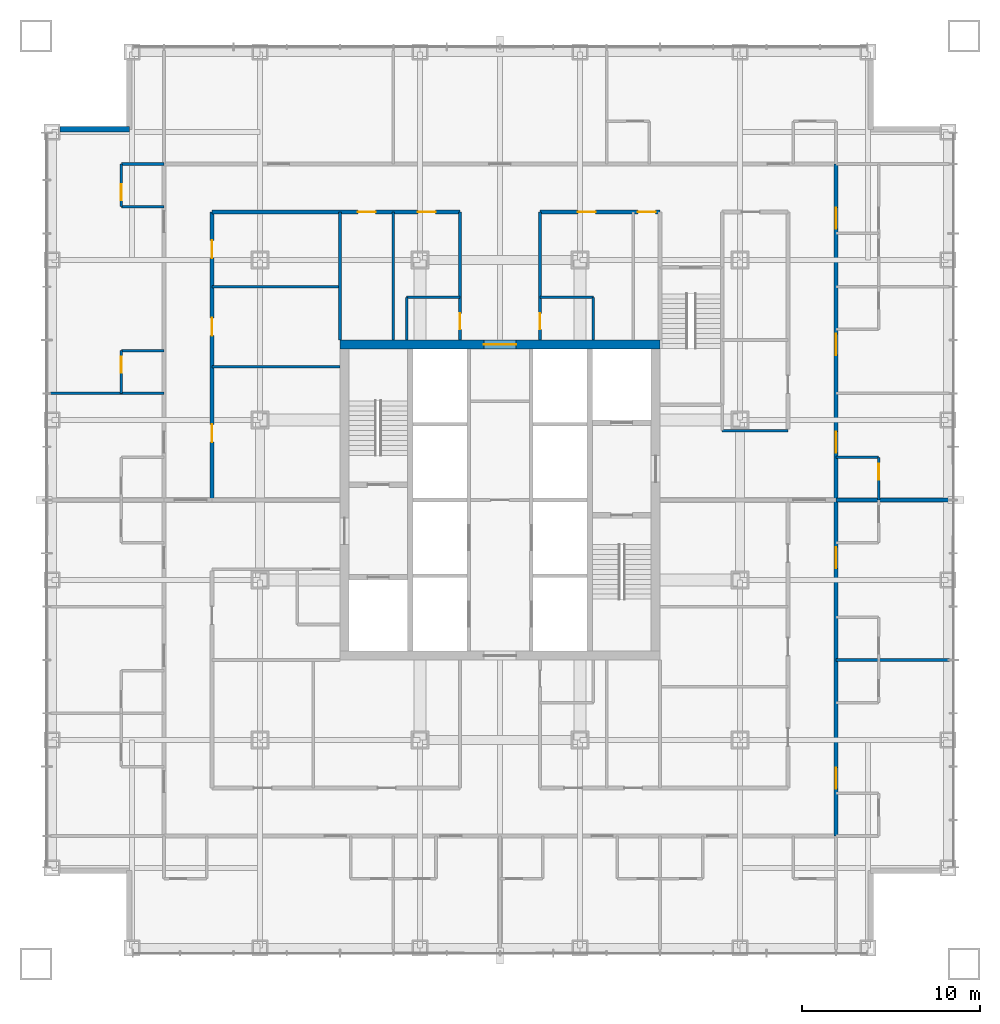
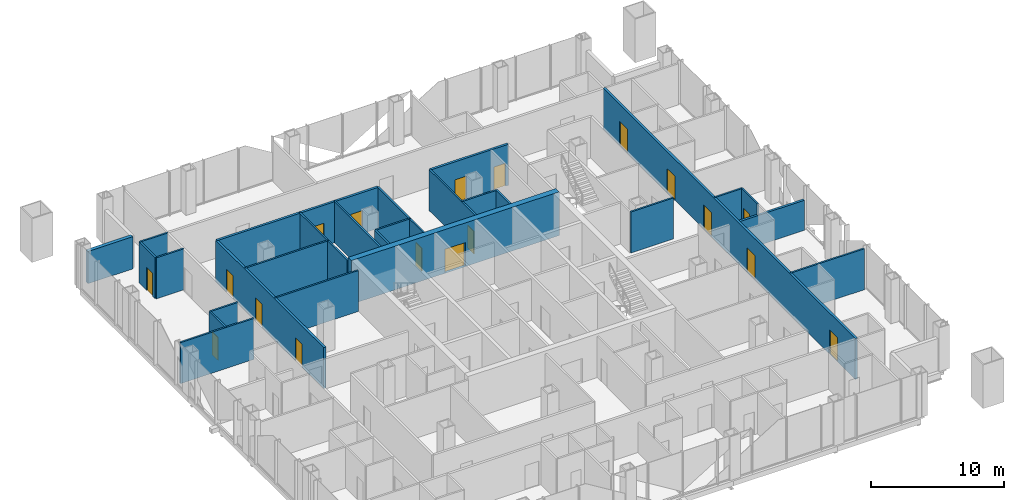
# One storey, part 10 of 13: 27 walls, 18 doors, 18 openings.
"""IFC4 building model written with IfcOpenShell, lengths in metres."""

from ifc_helpers import new_model, si_unit, direction, frame, frame_2d, origin, place, context, subcontext, project, spatial, rectangle, extrude, material, layer, layer_set, type_object, element, fill, save


model = new_model("IFC4")

# Units and contexts
model_context = context("Model", 3, precision=1e-05, world=origin(), true_north=direction((0.0, 1.0)))
body_context = subcontext(model_context, "Body", "Model", "MODEL_VIEW")
ifc_project = project(units=[si_unit("LENGTHUNIT", "METRE"), si_unit("AREAUNIT", "SQUARE_METRE"), si_unit("VOLUMEUNIT", "CUBIC_METRE"), si_unit("PLANEANGLEUNIT", "RADIAN"), si_unit("MASSUNIT", "GRAM", prefix="KILO")], contexts=[model_context])

# Site, building, storey
site_placement = place(None, origin())
site = spatial("IfcSite", under=ifc_project, at=site_placement, CompositionType="ELEMENT")
building_placement = place(site_placement, origin())
building = spatial("IfcBuilding", under=site, at=building_placement, Name="Malebo Sky Hospital", CompositionType="ELEMENT")
storey_placement = place(building_placement, frame((0.0, 0.0, 79.0)))
storey = spatial("IfcBuildingStorey", under=building, at=storey_placement, Name="L18", CompositionType="ELEMENT", Elevation=79.0)

# Wall, opening, door
ifc_material_1 = material(Name="Concrete C80/95", Category="concrete")
ifc_layer_1 = layer(ifc_material_1, 0.5)
ifc_layer_set_1 = layer_set([ifc_layer_1], Name="CORE WALL 500")
wall_type_1 = type_object("IfcWallType", Name="CORE WALL 500", PredefinedType="SHEAR", material=ifc_layer_set_1)
wall_1_placement = place(storey_placement, frame((51.0, 70.75, 0.0), z_axis=(0.0, 0.0, 1.0), x_axis=(1.0, 0.0, 0.0)))
wall_1 = element("IfcWall", 1, at=wall_1_placement, inside=storey, type_object=wall_type_1, Name="Core wall N L18", PredefinedType="SHEAR", context=body_context, shape_type="SweptSolid", body=[
    extrude(rectangle(XDim=18.0, YDim=0.5, at=frame_2d((9.0, 0.0))), origin(), (0.0, 0.0, 1.0), 4.0),
])
opening_1_placement = place(wall_1_placement, frame((8.10009765625, 0.0, 0.0)))
opening_1 = element("IfcOpeningElement", 2, at=opening_1_placement, cuts=wall_1, Name="Opening D06", PredefinedType="OPENING", context=body_context, shape_type="SweptSolid", body=[
    extrude(rectangle(XDim=1.800048828125, YDim=2.199951171875, at=frame_2d((0.89990234375, 1.10009765625))), frame((0.0, 0.260009765625, 0.0), z_axis=(0.0, -1.0, 0.0), x_axis=(1.0, 0.0, 0.0)), (0.0, 0.0, 1.0), 0.52001953125),
])
ifc_material_2 = material(Name="Hardwood-faced door leaf in steel frame", Category="steel")
door_type_1 = type_object("IfcDoorType", Name="LOBBY DOOR PAIR 1800", OperationType="DOUBLE_DOOR_SINGLE_SWING", PredefinedType="DOOR", material=ifc_material_2)
door_1_placement = place(opening_1_placement, origin())
door_1 = element("IfcDoor", 3, at=door_1_placement, inside=storey, type_object=door_type_1, Name="vending room door north", OperationType="DOUBLE_DOOR_SINGLE_SWING", OverallHeight=2.199951171875, OverallWidth=1.800048828125, PredefinedType="DOOR", context=body_context, shape_type="SweptSolid", body=[
    extrude(rectangle(XDim=1.800048828125, YDim=2.199951171875, at=frame_2d((0.89990234375, 1.10009765625))), frame((0.0, 0.02490234375, 0.0), z_axis=(0.0, -1.0, 0.0), x_axis=(1.0, 0.0, 0.0)), (0.0, 0.0, 1.0), 0.050048828125),
])
fill(opening_1, door_1)

# Wall, openings, doors
ifc_material_3 = material(Name="Gypsum board on steel studs", Category="steel")
ifc_layer_2 = layer(ifc_material_3, 0.199951171875)
ifc_layer_set_2 = layer_set([ifc_layer_2], Name="CORRIDOR WALL 200")
wall_type_2 = type_object("IfcWallType", Name="CORRIDOR WALL 200", PredefinedType="PARTITIONING", material=ifc_layer_set_2)
wall_2_placement = place(storey_placement, frame((43.800048828125, 78.199951171875, 0.0), z_axis=(0.0, 0.0, 1.0), x_axis=(1.0, 0.0, 0.0)))
wall_2 = element("IfcWall", 4, at=wall_2_placement, inside=storey, type_object=wall_type_2, Name="Corridor Wall 200 NCI1", PredefinedType="PARTITIONING", context=body_context, shape_type="SweptSolid", body=[
    extrude(rectangle(XDim=13.949951171875, YDim=0.199951171875, at=frame_2d((6.97509765625, 0.0))), origin(), (0.0, 0.0, 1.0), 3.75),
])
opening_2_placement = place(wall_2_placement, frame((8.199951171875, 0.0, 0.0)))
opening_2 = element("IfcOpeningElement", 5, at=opening_2_placement, cuts=wall_2, Name="Opening D03", PredefinedType="OPENING", context=body_context, shape_type="SweptSolid", body=[
    extrude(rectangle(XDim=1.0, YDim=2.10009765625, at=frame_2d((0.5, 1.050048828125))), frame((0.0, 0.10986328125, 0.0), z_axis=(0.0, -1.0, 0.0), x_axis=(1.0, 0.0, 0.0)), (0.0, 0.0, 1.0), 0.219970703125),
])
opening_3_placement = place(wall_2_placement, frame((11.574951171875, 0.0, 0.0)))
opening_3 = element("IfcOpeningElement", 6, at=opening_3_placement, cuts=wall_2, Name="Opening D03", PredefinedType="OPENING", context=body_context, shape_type="SweptSolid", body=[
    extrude(rectangle(XDim=1.0, YDim=2.10009765625, at=frame_2d((0.5, 1.050048828125))), frame((0.0, 0.10986328125, 0.0), z_axis=(0.0, -1.0, 0.0), x_axis=(1.0, 0.0, 0.0)), (0.0, 0.0, 1.0), 0.219970703125),
])
door_type_2 = type_object("IfcDoorType", Name="ROOM DOOR 1000", OperationType="SINGLE_SWING_LEFT", PredefinedType="DOOR", material=ifc_material_2)
door_2_placement = place(opening_2_placement, origin())
door_2 = element("IfcDoor", 7, at=door_2_placement, inside=storey, type_object=door_type_2, Name="Equipment store door", OperationType="SINGLE_SWING_LEFT", OverallHeight=2.10009765625, OverallWidth=1.0, PredefinedType="DOOR", context=body_context, shape_type="SweptSolid", body=[
    extrude(rectangle(XDim=1.0, YDim=2.10009765625, at=frame_2d((0.5, 1.050048828125))), frame((0.0, 0.02490234375, 0.0), z_axis=(0.0, -1.0, 0.0), x_axis=(1.0, 0.0, 0.0)), (0.0, 0.0, 1.0), 0.050048828125),
])
fill(opening_2, door_2)
door_3_placement = place(opening_3_placement, origin())
door_3 = element("IfcDoor", 8, at=door_3_placement, inside=storey, type_object=door_type_2, Name="Linen store door", OperationType="SINGLE_SWING_LEFT", OverallHeight=2.10009765625, OverallWidth=1.0, PredefinedType="DOOR", context=body_context, shape_type="SweptSolid", body=[
    extrude(rectangle(XDim=1.0, YDim=2.10009765625, at=frame_2d((0.5, 1.050048828125))), frame((0.0, 0.02490234375, 0.0), z_axis=(0.0, -1.0, 0.0), x_axis=(1.0, 0.0, 0.0)), (0.0, 0.0, 1.0), 0.050048828125),
])
fill(opening_3, door_3)

wall_3_placement = place(storey_placement, frame((62.25, 78.199951171875, 0.0), z_axis=(0.0, 0.0, 1.0), x_axis=(1.0, 0.0, 0.0)))
wall_3 = element("IfcWall", 9, at=wall_3_placement, inside=storey, type_object=wall_type_2, Name="Corridor Wall 200 NCI2", PredefinedType="PARTITIONING", context=body_context, shape_type="SweptSolid", body=[
    extrude(rectangle(XDim=6.75, YDim=0.199951171875, at=frame_2d((3.375, 0.0))), origin(), (0.0, 0.0, 1.0), 3.75),
])
opening_4_placement = place(wall_3_placement, frame((2.125, 0.0, 0.0)))
opening_4 = element("IfcOpeningElement", 10, at=opening_4_placement, cuts=wall_3, Name="Opening D03", PredefinedType="OPENING", context=body_context, shape_type="SweptSolid", body=[
    extrude(rectangle(XDim=1.0, YDim=2.10009765625, at=frame_2d((0.5, 1.050048828125))), frame((0.0, 0.10986328125, 0.0), z_axis=(0.0, -1.0, 0.0), x_axis=(1.0, 0.0, 0.0)), (0.0, 0.0, 1.0), 0.219970703125),
])
opening_5_placement = place(wall_3_placement, frame((5.5, 0.0, 0.0)))
opening_5 = element("IfcOpeningElement", 11, at=opening_5_placement, cuts=wall_3, Name="Opening D03", PredefinedType="OPENING", context=body_context, shape_type="SweptSolid", body=[
    extrude(rectangle(XDim=1.0, YDim=2.10009765625, at=frame_2d((0.5, 1.050048828125))), frame((0.0, 0.10986328125, 0.0), z_axis=(0.0, -1.0, 0.0), x_axis=(1.0, 0.0, 0.0)), (0.0, 0.0, 1.0), 0.219970703125),
])
door_4_placement = place(opening_4_placement, origin())
door_4 = element("IfcDoor", 12, at=door_4_placement, inside=storey, type_object=door_type_2, Name="Ward pantry door", OperationType="SINGLE_SWING_LEFT", OverallHeight=2.10009765625, OverallWidth=1.0, PredefinedType="DOOR", context=body_context, shape_type="SweptSolid", body=[
    extrude(rectangle(XDim=1.0, YDim=2.10009765625, at=frame_2d((0.5, 1.050048828125))), frame((0.0, 0.02490234375, 0.0), z_axis=(0.0, -1.0, 0.0), x_axis=(1.0, 0.0, 0.0)), (0.0, 0.0, 1.0), 0.050048828125),
])
fill(opening_4, door_4)
door_5_placement = place(opening_5_placement, origin())
door_5 = element("IfcDoor", 13, at=door_5_placement, inside=storey, type_object=door_type_2, Name="Staff base door", OperationType="SINGLE_SWING_RIGHT", OverallHeight=2.10009765625, OverallWidth=1.0, PredefinedType="DOOR", context=body_context, shape_type="SweptSolid", body=[
    extrude(rectangle(XDim=1.0, YDim=2.10009765625, at=frame_2d((0.5, 1.050048828125))), frame((0.0, 0.02490234375, 0.0), z_axis=(0.0, -1.0, 0.0), x_axis=(1.0, 0.0, 0.0)), (0.0, 0.0, 1.0), 0.050048828125),
])
fill(opening_5, door_5)

wall_4_placement = place(storey_placement, frame((43.800048828125, 62.0, 0.0), z_axis=(0.0, 0.0, 1.0), x_axis=(0.0, 1.0, 0.0)))
wall_4 = element("IfcWall", 14, at=wall_4_placement, inside=storey, type_object=wall_type_2, Name="Corridor Wall 200 WCI2", PredefinedType="PARTITIONING", context=body_context, shape_type="SweptSolid", body=[
    extrude(rectangle(XDim=16.199951171875, YDim=0.199951171875, at=frame_2d((8.10009765625, 0.0))), origin(), (0.0, 0.0, 1.0), 3.75),
])
opening_6_placement = place(wall_4_placement, frame((3.25, 0.0, 0.0)))
opening_6 = element("IfcOpeningElement", 15, at=opening_6_placement, cuts=wall_4, Name="Opening D03", PredefinedType="OPENING", context=body_context, shape_type="SweptSolid", body=[
    extrude(rectangle(XDim=1.0, YDim=2.10009765625, at=frame_2d((0.5, 1.050048828125))), frame((0.0, 0.10986328125, 0.0), z_axis=(0.0, -1.0, 0.0), x_axis=(1.0, 0.0, 0.0)), (0.0, 0.0, 1.0), 0.219970703125),
])
opening_7_placement = place(wall_4_placement, frame((9.25, 0.0, 0.0)))
opening_7 = element("IfcOpeningElement", 16, at=opening_7_placement, cuts=wall_4, Name="Opening D03", PredefinedType="OPENING", context=body_context, shape_type="SweptSolid", body=[
    extrude(rectangle(XDim=1.0, YDim=2.10009765625, at=frame_2d((0.5, 1.050048828125))), frame((0.0, 0.10986328125, 0.0), z_axis=(0.0, -1.0, 0.0), x_axis=(1.0, 0.0, 0.0)), (0.0, 0.0, 1.0), 0.219970703125),
])
opening_8_placement = place(wall_4_placement, frame((13.60009765625, 0.0, 0.0)))
opening_8 = element("IfcOpeningElement", 17, at=opening_8_placement, cuts=wall_4, Name="Opening D03", PredefinedType="OPENING", context=body_context, shape_type="SweptSolid", body=[
    extrude(rectangle(XDim=1.0, YDim=2.10009765625, at=frame_2d((0.5, 1.050048828125))), frame((0.0, 0.10986328125, 0.0), z_axis=(0.0, -1.0, 0.0), x_axis=(1.0, 0.0, 0.0)), (0.0, 0.0, 1.0), 0.219970703125),
])
door_6_placement = place(opening_6_placement, origin())
door_6 = element("IfcDoor", 18, at=door_6_placement, inside=storey, type_object=door_type_2, Name="Staff rest room door", OperationType="SINGLE_SWING_LEFT", OverallHeight=2.10009765625, OverallWidth=1.0, PredefinedType="DOOR", context=body_context, shape_type="SweptSolid", body=[
    extrude(rectangle(XDim=1.0, YDim=2.10009765625, at=frame_2d((0.5, 1.050048828125))), frame((0.0, 0.02490234375, 0.0), z_axis=(0.0, -1.0, 0.0), x_axis=(1.0, 0.0, 0.0)), (0.0, 0.0, 1.0), 0.050048828125),
])
fill(opening_6, door_6)
door_7_placement = place(opening_7_placement, origin())
door_7 = element("IfcDoor", 19, at=door_7_placement, inside=storey, type_object=door_type_2, Name="Seminar room door", OperationType="SINGLE_SWING_LEFT", OverallHeight=2.10009765625, OverallWidth=1.0, PredefinedType="DOOR", context=body_context, shape_type="SweptSolid", body=[
    extrude(rectangle(XDim=1.0, YDim=2.10009765625, at=frame_2d((0.5, 1.050048828125))), frame((0.0, 0.02490234375, 0.0), z_axis=(0.0, -1.0, 0.0), x_axis=(1.0, 0.0, 0.0)), (0.0, 0.0, 1.0), 0.050048828125),
])
fill(opening_7, door_7)
door_8_placement = place(opening_8_placement, origin())
door_8 = element("IfcDoor", 20, at=door_8_placement, inside=storey, type_object=door_type_2, Name="Dirty utility room door", OperationType="SINGLE_SWING_RIGHT", OverallHeight=2.10009765625, OverallWidth=1.0, PredefinedType="DOOR", context=body_context, shape_type="SweptSolid", body=[
    extrude(rectangle(XDim=1.0, YDim=2.10009765625, at=frame_2d((0.5, 1.050048828125))), frame((0.0, 0.02490234375, 0.0), z_axis=(0.0, -1.0, 0.0), x_axis=(1.0, 0.0, 0.0)), (0.0, 0.0, 1.0), 0.050048828125),
])
fill(opening_8, door_8)

wall_5_placement = place(storey_placement, frame((78.89990234375, 80.89990234375, 0.0), z_axis=(0.0, 0.0, 1.0), x_axis=(0.0, -1.0, 0.0)))
wall_5 = element("IfcWall", 21, at=wall_5_placement, inside=storey, type_object=wall_type_2, Name="Corridor Wall 200 ECO", PredefinedType="PARTITIONING", context=body_context, shape_type="SweptSolid", body=[
    extrude(rectangle(XDim=37.7998046875, YDim=0.199951171875, at=frame_2d((18.89990234375, 0.0))), origin(), (0.0, 0.0, 1.0), 3.75),
])
opening_9_placement = place(wall_5_placement, frame((2.449951171875, 0.0, 0.0)))
opening_9 = element("IfcOpeningElement", 22, at=opening_9_placement, cuts=wall_5, Name="Opening D18", PredefinedType="OPENING", context=body_context, shape_type="SweptSolid", body=[
    extrude(rectangle(XDim=1.199951171875, YDim=2.199951171875, at=frame_2d((0.60009765625, 1.10009765625))), frame((0.0, 0.10986328125, 0.0), z_axis=(0.0, -1.0, 0.0), x_axis=(1.0, 0.0, 0.0)), (0.0, 0.0, 1.0), 0.219970703125),
])
opening_10_placement = place(wall_5_placement, frame((9.550048828125, 0.0, 0.0)))
opening_10 = element("IfcOpeningElement", 23, at=opening_10_placement, cuts=wall_5, Name="Opening D01", PredefinedType="OPENING", context=body_context, shape_type="SweptSolid", body=[
    extrude(rectangle(XDim=1.199951171875, YDim=2.199951171875, at=frame_2d((0.60009765625, 1.10009765625))), frame((0.0, 0.10986328125, 0.0), z_axis=(0.0, -1.0, 0.0), x_axis=(1.0, 0.0, 0.0)), (0.0, 0.0, 1.0), 0.219970703125),
])
opening_11_placement = place(wall_5_placement, frame((15.050048828125, 0.0, 0.0)))
opening_11 = element("IfcOpeningElement", 24, at=opening_11_placement, cuts=wall_5, Name="Opening D01", PredefinedType="OPENING", context=body_context, shape_type="SweptSolid", body=[
    extrude(rectangle(XDim=1.199951171875, YDim=2.199951171875, at=frame_2d((0.60009765625, 1.10009765625))), frame((0.0, 0.10986328125, 0.0), z_axis=(0.0, -1.0, 0.0), x_axis=(1.0, 0.0, 0.0)), (0.0, 0.0, 1.0), 0.219970703125),
])
opening_12_placement = place(wall_5_placement, frame((21.550048828125, 0.0, 0.0)))
opening_12 = element("IfcOpeningElement", 25, at=opening_12_placement, cuts=wall_5, Name="Opening D01", PredefinedType="OPENING", context=body_context, shape_type="SweptSolid", body=[
    extrude(rectangle(XDim=1.199951171875, YDim=2.199951171875, at=frame_2d((0.60009765625, 1.10009765625))), frame((0.0, 0.10986328125, 0.0), z_axis=(0.0, -1.0, 0.0), x_axis=(1.0, 0.0, 0.0)), (0.0, 0.0, 1.0), 0.219970703125),
])
opening_13_placement = place(wall_5_placement, frame((33.949951171875, 0.0, 0.0)))
opening_13 = element("IfcOpeningElement", 26, at=opening_13_placement, cuts=wall_5, Name="Opening D01", PredefinedType="OPENING", context=body_context, shape_type="SweptSolid", body=[
    extrude(rectangle(XDim=1.199951171875, YDim=2.199951171875, at=frame_2d((0.60009765625, 1.10009765625))), frame((0.0, 0.10986328125, 0.0), z_axis=(0.0, -1.0, 0.0), x_axis=(1.0, 0.0, 0.0)), (0.0, 0.0, 1.0), 0.219970703125),
])
door_type_3 = type_object("IfcDoorType", Name="ANTEROOM DOOR 1200", OperationType="SINGLE_SWING_LEFT", PredefinedType="DOOR", material=ifc_material_2)
door_9_placement = place(opening_9_placement, origin())
door_9 = element("IfcDoor", 27, at=door_9_placement, inside=storey, type_object=door_type_3, Name="Anteroom door", OperationType="SINGLE_SWING_RIGHT", OverallHeight=2.199951171875, OverallWidth=1.199951171875, PredefinedType="DOOR", context=body_context, shape_type="SweptSolid", body=[
    extrude(rectangle(XDim=1.199951171875, YDim=2.199951171875, at=frame_2d((0.60009765625, 1.10009765625))), frame((0.0, 0.02490234375, 0.0), z_axis=(0.0, -1.0, 0.0), x_axis=(1.0, 0.0, 0.0)), (0.0, 0.0, 1.0), 0.050048828125),
])
fill(opening_9, door_9)
door_type_4 = type_object("IfcDoorType", Name="BED DOOR 1200", OperationType="SINGLE_SWING_LEFT", PredefinedType="DOOR", material=ifc_material_2)
door_10_placement = place(opening_10_placement, origin())
door_10 = element("IfcDoor", 28, at=door_10_placement, inside=storey, type_object=door_type_4, Name="Single bed room door", OperationType="SINGLE_SWING_LEFT", OverallHeight=2.199951171875, OverallWidth=1.199951171875, PredefinedType="DOOR", context=body_context, shape_type="SweptSolid", body=[
    extrude(rectangle(XDim=1.199951171875, YDim=2.199951171875, at=frame_2d((0.60009765625, 1.10009765625))), frame((0.0, 0.02490234375, 0.0), z_axis=(0.0, -1.0, 0.0), x_axis=(1.0, 0.0, 0.0)), (0.0, 0.0, 1.0), 0.050048828125),
])
fill(opening_10, door_10)
door_11_placement = place(opening_11_placement, origin())
door_11 = element("IfcDoor", 29, at=door_11_placement, inside=storey, type_object=door_type_4, Name="Single bed room door", OperationType="SINGLE_SWING_RIGHT", OverallHeight=2.199951171875, OverallWidth=1.199951171875, PredefinedType="DOOR", context=body_context, shape_type="SweptSolid", body=[
    extrude(rectangle(XDim=1.199951171875, YDim=2.199951171875, at=frame_2d((0.60009765625, 1.10009765625))), frame((0.0, 0.02490234375, 0.0), z_axis=(0.0, -1.0, 0.0), x_axis=(1.0, 0.0, 0.0)), (0.0, 0.0, 1.0), 0.050048828125),
])
fill(opening_11, door_11)
door_12_placement = place(opening_12_placement, origin())
door_12 = element("IfcDoor", 30, at=door_12_placement, inside=storey, type_object=door_type_4, Name="Four-bed bay door", OperationType="SINGLE_SWING_LEFT", OverallHeight=2.199951171875, OverallWidth=1.199951171875, PredefinedType="DOOR", context=body_context, shape_type="SweptSolid", body=[
    extrude(rectangle(XDim=1.199951171875, YDim=2.199951171875, at=frame_2d((0.60009765625, 1.10009765625))), frame((0.0, 0.02490234375, 0.0), z_axis=(0.0, -1.0, 0.0), x_axis=(1.0, 0.0, 0.0)), (0.0, 0.0, 1.0), 0.050048828125),
])
fill(opening_12, door_12)
door_13_placement = place(opening_13_placement, origin())
door_13 = element("IfcDoor", 31, at=door_13_placement, inside=storey, type_object=door_type_4, Name="Four-bed bay door", OperationType="SINGLE_SWING_RIGHT", OverallHeight=2.199951171875, OverallWidth=1.199951171875, PredefinedType="DOOR", context=body_context, shape_type="SweptSolid", body=[
    extrude(rectangle(XDim=1.199951171875, YDim=2.199951171875, at=frame_2d((0.60009765625, 1.10009765625))), frame((0.0, 0.02490234375, 0.0), z_axis=(0.0, -1.0, 0.0), x_axis=(1.0, 0.0, 0.0)), (0.0, 0.0, 1.0), 0.050048828125),
])
fill(opening_13, door_13)

# Walls
ifc_material_4 = material(Name="Anodised aluminium rainscreen on steel framing", Category="steel")
ifc_layer_3 = layer(ifc_material_4, 0.300048828125)
ifc_layer_set_3 = layer_set([ifc_layer_3], Name="NOTCH RAINSCREEN WALL 300")
wall_type_3 = type_object("IfcWallType", Name="NOTCH RAINSCREEN WALL 300", PredefinedType="ELEMENTEDWALL", material=ifc_layer_set_3)
wall_6_placement = place(storey_placement, frame((35.25, 82.85009765625, 0.0), z_axis=(0.0, 0.0, 1.0), x_axis=(1.0, 0.0, 0.0)))
element("IfcWall", 32, at=wall_6_placement, inside=storey, type_object=wall_type_3, Name="Notch rainscreen wall W1 L18", PredefinedType="ELEMENTEDWALL", context=body_context, shape_type="SweptSolid", body=[
    extrude(rectangle(XDim=3.89990234375, YDim=0.300048828125, at=frame_2d((1.949951171875, 0.0))), origin(), (0.0, 0.0, 1.0), 2.949951171875),
])
ifc_layer_4 = layer(ifc_material_3, 0.14990234375)
ifc_layer_set_4 = layer_set([ifc_layer_4], Name="PARTITION 150")
wall_type_4 = type_object("IfcWallType", Name="PARTITION 150", PredefinedType="PARTITIONING", material=ifc_layer_set_4)
wall_7_placement = place(storey_placement, frame((51.0, 71.0, 0.0), z_axis=(0.0, 0.0, 1.0), x_axis=(0.0, 1.0, 0.0)))
element("IfcWall", 33, at=wall_7_placement, inside=storey, type_object=wall_type_4, Name="Partition 150 NSP0", PredefinedType="PARTITIONING", context=body_context, shape_type="SweptSolid", body=[
    extrude(rectangle(XDim=7.199951171875, YDim=0.14990234375, at=frame_2d((3.60009765625, 0.0))), origin(), (0.0, 0.0, 1.0), 3.75),
])

# Wall, opening, door
wall_8_placement = place(storey_placement, frame((57.75, 71.0, 0.0), z_axis=(0.0, 0.0, 1.0), x_axis=(0.0, 1.0, 0.0)))
wall_8 = element("IfcWall", 34, at=wall_8_placement, inside=storey, type_object=wall_type_4, Name="Partition 150 NSPA", PredefinedType="PARTITIONING", context=body_context, shape_type="SweptSolid", body=[
    extrude(rectangle(XDim=7.199951171875, YDim=0.14990234375, at=frame_2d((3.60009765625, 0.0))), origin(), (0.0, 0.0, 1.0), 3.75),
])
opening_14_placement = place(wall_8_placement, frame((0.60009765625, 0.0, 0.0)))
opening_14 = element("IfcOpeningElement", 35, at=opening_14_placement, cuts=wall_8, Name="Opening D04", PredefinedType="OPENING", context=body_context, shape_type="SweptSolid", body=[
    extrude(rectangle(XDim=0.89990234375, YDim=2.10009765625, at=frame_2d((0.449951171875, 1.050048828125))), frame((0.0, 0.0849609375, 0.0), z_axis=(0.0, -1.0, 0.0), x_axis=(1.0, 0.0, 0.0)), (0.0, 0.0, 1.0), 0.169921875),
])
door_type_5 = type_object("IfcDoorType", Name="ROOM DOOR 900", OperationType="SINGLE_SWING_LEFT", PredefinedType="DOOR", material=ifc_material_2)
door_14_placement = place(opening_14_placement, origin())
door_14 = element("IfcDoor", 36, at=door_14_placement, inside=storey, type_object=door_type_5, Name="Staff WC door", OperationType="SINGLE_SWING_LEFT", OverallHeight=2.10009765625, OverallWidth=0.89990234375, PredefinedType="DOOR", context=body_context, shape_type="SweptSolid", body=[
    extrude(rectangle(XDim=0.89990234375, YDim=2.10009765625, at=frame_2d((0.449951171875, 1.050048828125))), frame((0.0, 0.02490234375, 0.0), z_axis=(0.0, -1.0, 0.0), x_axis=(1.0, 0.0, 0.0)), (0.0, 0.0, 1.0), 0.050048828125),
])
fill(opening_14, door_14)

wall_9_placement = place(storey_placement, frame((62.25, 71.0, 0.0), z_axis=(0.0, 0.0, 1.0), x_axis=(0.0, 1.0, 0.0)))
wall_9 = element("IfcWall", 37, at=wall_9_placement, inside=storey, type_object=wall_type_4, Name="Partition 150 NSPB", PredefinedType="PARTITIONING", context=body_context, shape_type="SweptSolid", body=[
    extrude(rectangle(XDim=7.199951171875, YDim=0.14990234375, at=frame_2d((3.60009765625, 0.0))), origin(), (0.0, 0.0, 1.0), 3.75),
])
opening_15_placement = place(wall_9_placement, frame((0.60009765625, 0.0, 0.0)))
opening_15 = element("IfcOpeningElement", 38, at=opening_15_placement, cuts=wall_9, Name="Opening D04", PredefinedType="OPENING", context=body_context, shape_type="SweptSolid", body=[
    extrude(rectangle(XDim=0.89990234375, YDim=2.10009765625, at=frame_2d((0.449951171875, 1.050048828125))), frame((0.0, 0.0849609375, 0.0), z_axis=(0.0, -1.0, 0.0), x_axis=(1.0, 0.0, 0.0)), (0.0, 0.0, 1.0), 0.169921875),
])
door_15_placement = place(opening_15_placement, origin())
door_15 = element("IfcDoor", 39, at=door_15_placement, inside=storey, type_object=door_type_5, Name="Accessible WC door", OperationType="SINGLE_SWING_LEFT", OverallHeight=2.10009765625, OverallWidth=0.89990234375, PredefinedType="DOOR", context=body_context, shape_type="SweptSolid", body=[
    extrude(rectangle(XDim=0.89990234375, YDim=2.10009765625, at=frame_2d((0.449951171875, 1.050048828125))), frame((0.0, 0.02490234375, 0.0), z_axis=(0.0, -1.0, 0.0), x_axis=(1.0, 0.0, 0.0)), (0.0, 0.0, 1.0), 0.050048828125),
])
fill(opening_15, door_15)

# Walls
wall_10_placement = place(storey_placement, frame((54.0, 71.0, 0.0), z_axis=(0.0, 0.0, 1.0), x_axis=(0.0, 1.0, 0.0)))
element("IfcWall", 40, at=wall_10_placement, inside=storey, type_object=wall_type_4, Name="Partition 150 NSP-6.0", PredefinedType="PARTITIONING", context=body_context, shape_type="SweptSolid", body=[
    extrude(rectangle(XDim=7.199951171875, YDim=0.14990234375, at=frame_2d((3.60009765625, 0.0))), origin(), (0.0, 0.0, 1.0), 3.75),
])
wall_11_placement = place(storey_placement, frame((54.75, 73.39990234375, 0.0), z_axis=(0.0, 0.0, 1.0), x_axis=(1.0, 0.0, 0.0)))
element("IfcWall", 41, at=wall_11_placement, inside=storey, type_object=wall_type_4, Name="Partition 150 NSX1", PredefinedType="PARTITIONING", context=body_context, shape_type="SweptSolid", body=[
    extrude(rectangle(XDim=3.0, YDim=0.14990234375, at=frame_2d((1.5, 0.0))), origin(), (0.0, 0.0, 1.0), 3.75),
])
wall_12_placement = place(storey_placement, frame((54.75, 71.0, 0.0), z_axis=(0.0, 0.0, 1.0), x_axis=(0.0, 1.0, 0.0)))
element("IfcWall", 42, at=wall_12_placement, inside=storey, type_object=wall_type_4, Name="Partition 150 NSY1", PredefinedType="PARTITIONING", context=body_context, shape_type="SweptSolid", body=[
    extrude(rectangle(XDim=2.39990234375, YDim=0.14990234375, at=frame_2d((1.199951171875, 0.0))), origin(), (0.0, 0.0, 1.0), 3.75),
])
wall_13_placement = place(storey_placement, frame((62.25, 73.39990234375, 0.0), z_axis=(0.0, 0.0, 1.0), x_axis=(1.0, 0.0, 0.0)))
element("IfcWall", 43, at=wall_13_placement, inside=storey, type_object=wall_type_4, Name="Partition 150 NSX2", PredefinedType="PARTITIONING", context=body_context, shape_type="SweptSolid", body=[
    extrude(rectangle(XDim=3.0, YDim=0.14990234375, at=frame_2d((1.5, 0.0))), origin(), (0.0, 0.0, 1.0), 3.75),
])
wall_14_placement = place(storey_placement, frame((65.25, 71.0, 0.0), z_axis=(0.0, 0.0, 1.0), x_axis=(0.0, 1.0, 0.0)))
element("IfcWall", 44, at=wall_14_placement, inside=storey, type_object=wall_type_4, Name="Partition 150 NSY2", PredefinedType="PARTITIONING", context=body_context, shape_type="SweptSolid", body=[
    extrude(rectangle(XDim=2.39990234375, YDim=0.14990234375, at=frame_2d((1.199951171875, 0.0))), origin(), (0.0, 0.0, 1.0), 3.75),
])
wall_15_placement = place(storey_placement, frame((41.10009765625, 68.0, 0.0), z_axis=(0.0, 0.0, 1.0), x_axis=(-1.0, 0.0, 0.0)))
element("IfcWall", 45, at=wall_15_placement, inside=storey, type_object=wall_type_4, Name="Partition 150 WP+6.0", PredefinedType="PARTITIONING", context=body_context, shape_type="SweptSolid", body=[
    extrude(rectangle(XDim=6.375, YDim=0.14990234375, at=frame_2d((3.1875, 0.0))), origin(), (0.0, 0.0, 1.0), 3.75),
])

# Wall, opening, door
wall_16_placement = place(storey_placement, frame((38.699951171875, 78.5, 0.0), z_axis=(0.0, 0.0, 1.0), x_axis=(0.0, 1.0, 0.0)))
wall_16 = element("IfcWall", 46, at=wall_16_placement, inside=storey, type_object=wall_type_4, Name="Partition 150 WE4F", PredefinedType="PARTITIONING", context=body_context, shape_type="SweptSolid", body=[
    extrude(rectangle(XDim=2.39990234375, YDim=0.14990234375, at=frame_2d((1.199951171875, 0.0))), origin(), (0.0, 0.0, 1.0), 3.75),
])
opening_16_placement = place(wall_16_placement, frame((0.35009765625, 0.0, 0.0)))
opening_16 = element("IfcOpeningElement", 47, at=opening_16_placement, cuts=wall_16, Name="Opening D02", PredefinedType="OPENING", context=body_context, shape_type="SweptSolid", body=[
    extrude(rectangle(XDim=0.89990234375, YDim=2.10009765625, at=frame_2d((0.449951171875, 1.050048828125))), frame((0.0, 0.0849609375, 0.0), z_axis=(0.0, -1.0, 0.0), x_axis=(1.0, 0.0, 0.0)), (0.0, 0.0, 1.0), 0.169921875),
])
door_type_6 = type_object("IfcDoorType", Name="EN-SUITE DOOR 900", OperationType="SINGLE_SWING_LEFT", PredefinedType="DOOR", material=ifc_material_2)
door_16_placement = place(opening_16_placement, origin())
door_16 = element("IfcDoor", 48, at=door_16_placement, inside=storey, type_object=door_type_6, Name="En-suite door", OperationType="SINGLE_SWING_LEFT", OverallHeight=2.10009765625, OverallWidth=0.89990234375, PredefinedType="DOOR", context=body_context, shape_type="SweptSolid", body=[
    extrude(rectangle(XDim=0.89990234375, YDim=2.10009765625, at=frame_2d((0.449951171875, 1.050048828125))), frame((0.0, 0.02490234375, 0.0), z_axis=(0.0, -1.0, 0.0), x_axis=(1.0, 0.0, 0.0)), (0.0, 0.0, 1.0), 0.050048828125),
])
fill(opening_16, door_16)

# Wall
wall_17_placement = place(storey_placement, frame((41.10009765625, 78.5, 0.0), z_axis=(0.0, 0.0, 1.0), x_axis=(-1.0, 0.0, 0.0)))
element("IfcWall", 49, at=wall_17_placement, inside=storey, type_object=wall_type_4, Name="Partition 150 WE4S", PredefinedType="PARTITIONING", context=body_context, shape_type="SweptSolid", body=[
    extrude(rectangle(XDim=2.400146484375, YDim=0.14990234375, at=frame_2d((1.2001953125, 0.0))), origin(), (0.0, 0.0, 1.0), 3.75),
])

# Wall, opening, door
wall_18_placement = place(storey_placement, frame((38.699951171875, 68.0, 0.0), z_axis=(0.0, 0.0, 1.0), x_axis=(0.0, 1.0, 0.0)))
wall_18 = element("IfcWall", 50, at=wall_18_placement, inside=storey, type_object=wall_type_4, Name="Partition 150 WG4F", PredefinedType="PARTITIONING", context=body_context, shape_type="SweptSolid", body=[
    extrude(rectangle(XDim=2.39990234375, YDim=0.14990234375, at=frame_2d((1.199951171875, 0.0))), origin(), (0.0, 0.0, 1.0), 3.75),
])
opening_17_placement = place(wall_18_placement, frame((1.14990234375, 0.0, 0.0)))
opening_17 = element("IfcOpeningElement", 51, at=opening_17_placement, cuts=wall_18, Name="Opening D02", PredefinedType="OPENING", context=body_context, shape_type="SweptSolid", body=[
    extrude(rectangle(XDim=0.89990234375, YDim=2.10009765625, at=frame_2d((0.449951171875, 1.050048828125))), frame((0.0, 0.0849609375, 0.0), z_axis=(0.0, -1.0, 0.0), x_axis=(1.0, 0.0, 0.0)), (0.0, 0.0, 1.0), 0.169921875),
])
door_17_placement = place(opening_17_placement, origin())
door_17 = element("IfcDoor", 52, at=door_17_placement, inside=storey, type_object=door_type_6, Name="En-suite door", OperationType="SINGLE_SWING_RIGHT", OverallHeight=2.10009765625, OverallWidth=0.89990234375, PredefinedType="DOOR", context=body_context, shape_type="SweptSolid", body=[
    extrude(rectangle(XDim=0.89990234375, YDim=2.10009765625, at=frame_2d((0.449951171875, 1.050048828125))), frame((0.0, 0.02490234375, 0.0), z_axis=(0.0, -1.0, 0.0), x_axis=(1.0, 0.0, 0.0)), (0.0, 0.0, 1.0), 0.050048828125),
])
fill(opening_17, door_17)

# Walls
for number, where, z_axis, x_axis, name in (
    (53, (41.10009765625, 70.39990234375, 0.0), (0.0, 0.0, 1.0), (-1.0, 0.0, 0.0), "Partition 150 WG4S"),
    (54, (41.10009765625, 80.89990234375, 0.0), (0.0, 0.0, 1.0), (-1.0, 0.0, 0.0), "Partition 150 WEZ"),
):
    element("IfcWall", number, at=place(storey_placement, frame(where, z_axis=z_axis, x_axis=x_axis)), inside=storey, type_object=wall_type_4, Name=name, PredefinedType="PARTITIONING", context=body_context, shape_type="SweptSolid", body=[
        extrude(rectangle(XDim=2.400146484375, YDim=0.14990234375, at=frame_2d((1.2001953125, 0.0))), origin(), (0.0, 0.0, 1.0), 3.75),
    ])
for number, where, z_axis, x_axis, name in (
    (55, (51.0, 69.5, 0.0), (0.0, 0.0, 1.0), (-1.0, 0.0, 0.0), "Partition 150 WSP+7.5"),
    (56, (51.0, 74.0, 0.0), (0.0, 0.0, 1.0), (-1.0, 0.0, 0.0), "Partition 150 WSP+12.0"),
):
    element("IfcWall", number, at=place(storey_placement, frame(where, z_axis=z_axis, x_axis=x_axis)), inside=storey, type_object=wall_type_4, Name=name, PredefinedType="PARTITIONING", context=body_context, shape_type="SweptSolid", body=[
        extrude(rectangle(XDim=7.199951171875, YDim=0.14990234375, at=frame_2d((3.60009765625, 0.0))), origin(), (0.0, 0.0, 1.0), 3.75),
    ])
wall_19_placement = place(storey_placement, frame((78.89990234375, 53.0, 0.0), z_axis=(0.0, 0.0, 1.0), x_axis=(1.0, 0.0, 0.0)))
element("IfcWall", 57, at=wall_19_placement, inside=storey, type_object=wall_type_4, Name="Partition 150 EP+9.0", PredefinedType="PARTITIONING", context=body_context, shape_type="SweptSolid", body=[
    extrude(rectangle(XDim=6.375, YDim=0.14990234375, at=frame_2d((3.1875, 0.0))), origin(), (0.0, 0.0, 1.0), 3.75),
])

# Wall, opening, door
wall_20_placement = place(storey_placement, frame((81.300048828125, 64.39990234375, 0.0), z_axis=(0.0, 0.0, 1.0), x_axis=(0.0, -1.0, 0.0)))
wall_20 = element("IfcWall", 58, at=wall_20_placement, inside=storey, type_object=wall_type_4, Name="Partition 150 EE2F", PredefinedType="PARTITIONING", context=body_context, shape_type="SweptSolid", body=[
    extrude(rectangle(XDim=2.39990234375, YDim=0.14990234375, at=frame_2d((1.199951171875, 0.0))), origin(), (0.0, 0.0, 1.0), 3.75),
])
opening_18_placement = place(wall_20_placement, frame((0.35009765625, 0.0, 0.0)))
opening_18 = element("IfcOpeningElement", 59, at=opening_18_placement, cuts=wall_20, Name="Opening D02", PredefinedType="OPENING", context=body_context, shape_type="SweptSolid", body=[
    extrude(rectangle(XDim=0.89990234375, YDim=2.10009765625, at=frame_2d((0.449951171875, 1.050048828125))), frame((0.0, 0.0849609375, 0.0), z_axis=(0.0, -1.0, 0.0), x_axis=(1.0, 0.0, 0.0)), (0.0, 0.0, 1.0), 0.169921875),
])
door_18_placement = place(opening_18_placement, origin())
door_18 = element("IfcDoor", 60, at=door_18_placement, inside=storey, type_object=door_type_6, Name="En-suite door", OperationType="SINGLE_SWING_LEFT", OverallHeight=2.10009765625, OverallWidth=0.89990234375, PredefinedType="DOOR", context=body_context, shape_type="SweptSolid", body=[
    extrude(rectangle(XDim=0.89990234375, YDim=2.10009765625, at=frame_2d((0.449951171875, 1.050048828125))), frame((0.0, 0.02490234375, 0.0), z_axis=(0.0, -1.0, 0.0), x_axis=(1.0, 0.0, 0.0)), (0.0, 0.0, 1.0), 0.050048828125),
])
fill(opening_18, door_18)

# Walls
wall_21_placement = place(storey_placement, frame((78.89990234375, 64.39990234375, 0.0), z_axis=(0.0, 0.0, 1.0), x_axis=(1.0, 0.0, 0.0)))
element("IfcWall", 61, at=wall_21_placement, inside=storey, type_object=wall_type_4, Name="Partition 150 EE2S", PredefinedType="PARTITIONING", context=body_context, shape_type="SweptSolid", body=[
    extrude(rectangle(XDim=2.400146484375, YDim=0.14990234375, at=frame_2d((1.2001953125, 0.0))), origin(), (0.0, 0.0, 1.0), 3.75),
])
wall_22_placement = place(storey_placement, frame((72.5, 65.89990234375, 0.0), z_axis=(0.0, 0.0, 1.0), x_axis=(1.0, 0.0, 0.0)))
element("IfcWall", 62, at=wall_22_placement, inside=storey, type_object=wall_type_4, Name="Partition 150 ESPA", PredefinedType="PARTITIONING", context=body_context, shape_type="SweptSolid", body=[
    extrude(rectangle(XDim=3.699951171875, YDim=0.14990234375, at=frame_2d((1.85009765625, 0.0))), origin(), (0.0, 0.0, 1.0), 3.75),
])
ifc_material_5 = material(Name="Concrete blockwork", Category="masonry")
ifc_layer_5 = layer(ifc_material_5, 0.199951171875)
ifc_layer_set_5 = layer_set([ifc_layer_5], Name="SMOKE BARRIER WALL 200")
wall_type_5 = type_object("IfcWallType", Name="SMOKE BARRIER WALL 200", PredefinedType="SOLIDWALL", material=ifc_layer_set_5)
wall_23_placement = place(storey_placement, frame((78.89990234375, 62.0, 0.0), z_axis=(0.0, 0.0, 1.0), x_axis=(1.0, 0.0, 0.0)))
element("IfcWall", 63, at=wall_23_placement, inside=storey, type_object=wall_type_5, Name="Smoke Barrier Wall 200 EP+0.0", PredefinedType="SOLIDWALL", context=body_context, shape_type="SweptSolid", body=[
    extrude(rectangle(XDim=6.375, YDim=0.199951171875, at=frame_2d((3.1875, 0.0))), origin(), (0.0, 0.0, 1.0), 2.75),
])

save(model, "model.ifc")
